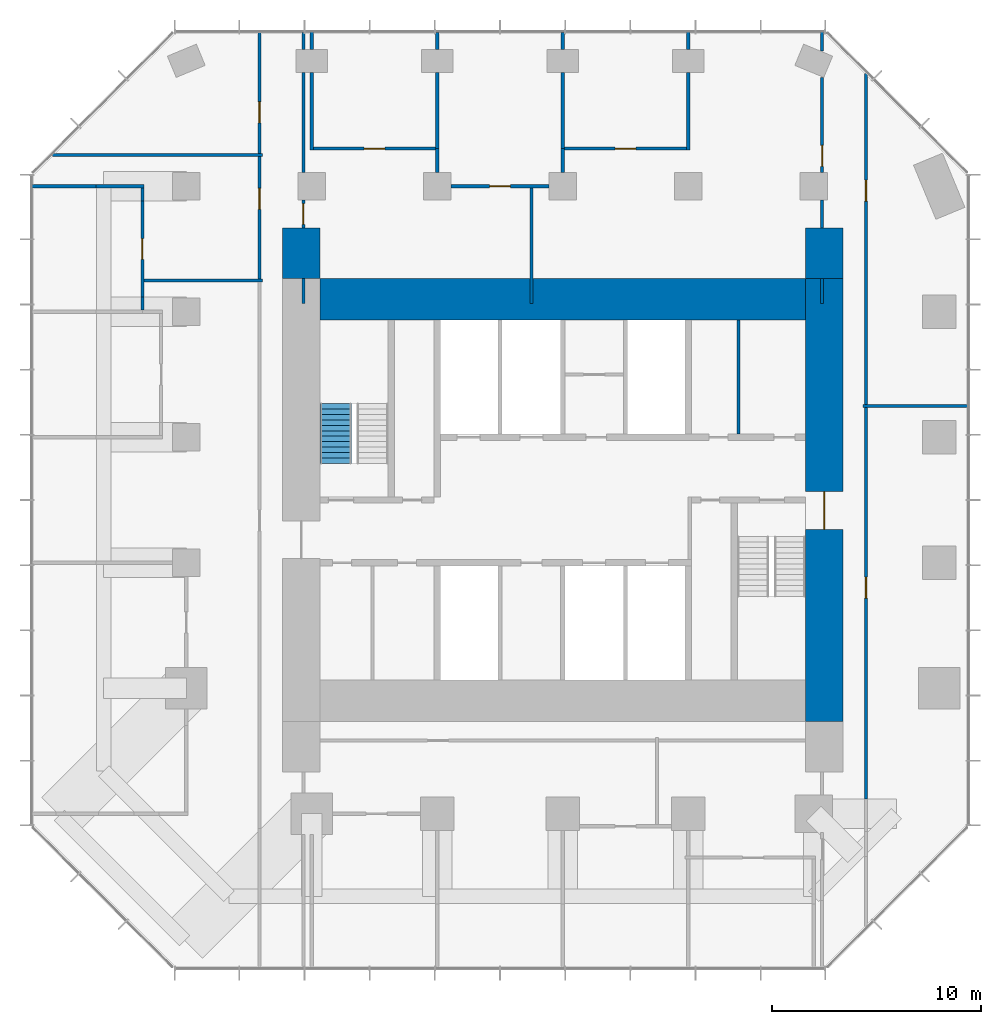
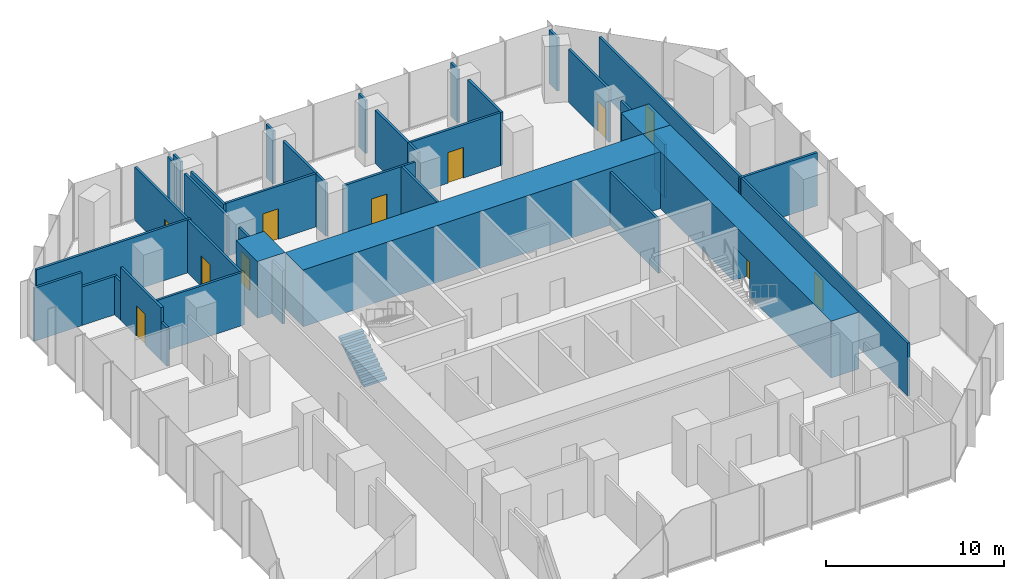
# One storey, part 10 of 12: 39 walls, 11 doors, 1 stair flight, 11 openings, 1 element without a shape of its own.
"""IFC4 building model written with IfcOpenShell, lengths in metres."""

from ifc_helpers import new_model, si_unit, direction, frame, frame_2d, origin, place, context, subcontext, project, spatial, polyline, rectangle, outline, extrude, material, layer, layer_set, type_object, element, fill, aggregate, save


model = new_model("IFC4")

# Units and contexts
model_context = context("Model", 3, precision=1e-05, world=origin(), true_north=direction((0.0, 1.0)))
body_context = subcontext(model_context, "Body", "Model", "MODEL_VIEW")
ifc_project = project(units=[si_unit("LENGTHUNIT", "METRE"), si_unit("AREAUNIT", "SQUARE_METRE"), si_unit("VOLUMEUNIT", "CUBIC_METRE"), si_unit("PLANEANGLEUNIT", "RADIAN"), si_unit("MASSUNIT", "GRAM", prefix="KILO")], contexts=[model_context])

# Site, building, storey
site_placement = place(None, origin())
site = spatial("IfcSite", under=ifc_project, at=site_placement, CompositionType="ELEMENT")
building_placement = place(site_placement, origin())
building = spatial("IfcBuilding", under=site, at=building_placement, Name="Highveld Stack Headquarters", CompositionType="ELEMENT")
storey_placement = place(building_placement, frame((0.0, 0.0, 231.800048828125)))
storey = spatial("IfcBuildingStorey", under=building, at=storey_placement, Name="L57", CompositionType="ELEMENT", Elevation=231.800048828125)

# Wall, opening, door
ifc_material_1 = material(Name="Concrete C60/75", Category="concrete")
ifc_layer_1 = layer(ifc_material_1, 1.800048828125)
ifc_layer_set_1 = layer_set([ifc_layer_1], Name="Concrete C60/75")
wall_type_1 = type_object("IfcWallType", Name="CORE WALL 1800 C60/75", PredefinedType="SHEAR", material=ifc_layer_set_1)
wall_1_placement = place(storey_placement, frame((18.5, -7.60009765625, 0.0), z_axis=(0.0, 0.0, 1.0), x_axis=(0.0, 1.0, 0.0)))
wall_1 = element("IfcWall", 1, at=wall_1_placement, inside=storey, type_object=wall_type_1, Name="Core wall E L57", PredefinedType="SHEAR", context=body_context, shape_type="SweptSolid", body=[
    extrude(rectangle(XDim=21.2001953125, YDim=1.800048828125, at=frame_2d((10.60009765625, 0.0))), origin(), (0.0, 0.0, 1.0), 3.89990234375),
])
opening_1_placement = place(wall_1_placement, frame((9.199951171875, 0.0, 0.0)))
opening_1 = element("IfcOpeningElement", 2, at=opening_1_placement, cuts=wall_1, Name="Opening L57-02", PredefinedType="OPENING", context=body_context, shape_type="SweptSolid", body=[
    extrude(rectangle(XDim=1.800048828125, YDim=2.39990234375, at=frame_2d((0.89990234375, 1.199951171875))), frame((0.0, 0.909912109375, 0.0), z_axis=(0.0, -1.0, 0.0), x_axis=(1.0, 0.0, 0.0)), (0.0, 0.0, 1.0), 1.820068359375),
])
ifc_material_2 = material(Name="Steel fire door", Category="steel")
door_type_1 = type_object("IfcDoorType", Name="LOBBY FIRE DOOR D4 1800x2400", OperationType="DOUBLE_DOOR_SINGLE_SWING", PredefinedType="DOOR", material=ifc_material_2)
door_1_placement = place(opening_1_placement, origin())
door_1 = element("IfcDoor", 3, at=door_1_placement, inside=storey, type_object=door_type_1, Name="Core east door L57", OperationType="DOUBLE_DOOR_SINGLE_SWING", OverallHeight=2.39990234375, OverallWidth=1.800048828125, PredefinedType="DOOR", context=body_context, shape_type="SweptSolid", body=[
    extrude(rectangle(XDim=1.800048828125, YDim=2.39990234375, at=frame_2d((0.89990234375, 1.199951171875))), frame((0.0, 0.02490234375, 0.0), z_axis=(0.0, -1.0, 0.0), x_axis=(1.0, 0.0, 0.0)), (0.0, 0.0, 1.0), 0.050048828125),
])
fill(opening_1, door_1)

# Walls
ifc_material_3 = material(Name="Concrete C60/75", Category="concrete")
ifc_layer_2 = layer(ifc_material_3, 2.0)
ifc_layer_set_2 = layer_set([ifc_layer_2], Name="Concrete C60/75")
wall_type_2 = type_object("IfcWallType", Name="CORE WALL 2000 C60/75", PredefinedType="SHEAR", material=ifc_layer_set_2)
wall_2_placement = place(storey_placement, frame((-5.60009765625, 12.60009765625, 0.0), z_axis=(0.0, 0.0, 1.0), x_axis=(1.0, 0.0, 0.0)))
element("IfcWall", 4, at=wall_2_placement, inside=storey, type_object=wall_type_2, Name="Core wall N L57", PredefinedType="SHEAR", context=body_context, shape_type="SweptSolid", body=[
    extrude(rectangle(XDim=23.2001953125, YDim=2.0, at=frame_2d((11.60009765625, 0.0))), origin(), (0.0, 0.0, 1.0), 3.89990234375),
])
ifc_material_4 = material(Name="Concrete C60/75", Category="concrete")
ifc_layer_3 = layer(ifc_material_4, 1.800048828125)
ifc_layer_set_3 = layer_set([ifc_layer_3], Name="Concrete C60/75")
wall_type_3 = type_object("IfcWallType", Name="CORE WING WALL 1800 C60/75", PredefinedType="SHEAR", material=ifc_layer_set_3)
for number, where, z_axis, x_axis, name in (
    (5, (-6.5, 13.60009765625, 0.0), (0.0, 0.0, 1.0), (0.0, 1.0, 0.0), "Core wing wall WN L57"),
    (6, (18.5, 13.60009765625, 0.0), (0.0, 0.0, 1.0), (0.0, 1.0, 0.0), "Core wing wall EN L57"),
):
    element("IfcWall", number, at=place(storey_placement, frame(where, z_axis=z_axis, x_axis=x_axis)), inside=storey, type_object=wall_type_3, Name=name, PredefinedType="SHEAR", context=body_context, shape_type="SweptSolid", body=[
        extrude(rectangle(XDim=2.39990234375, YDim=1.800048828125, at=frame_2d((1.199951171875, 0.0))), origin(), (0.0, 0.0, 1.0), 3.89990234375),
    ])
ifc_material_5 = material(Name="Gypsum plasterboard on steel studs", Category="steel")
ifc_layer_4 = layer(ifc_material_5, 0.14990234375)
ifc_layer_set_4 = layer_set([ifc_layer_4], Name="Gypsum plasterboard on steel studs")
wall_type_4 = type_object("IfcWallType", Name="PARTITION 150 PLASTERBOARD", PredefinedType="PARTITIONING", material=ifc_layer_set_4)
wall_3_placement = place(storey_placement, frame((-19.39990234375, 18.0, 0.0), z_axis=(0.0, 0.0, 1.0), x_axis=(1.0, 0.0, 0.0)))
element("IfcWall", 7, at=wall_3_placement, inside=storey, type_object=wall_type_4, Name="Partition Focus room L57", PredefinedType="PARTITIONING", context=body_context, shape_type="SweptSolid", body=[
    extrude(rectangle(XDim=3.08984375, YDim=0.14990234375, at=frame_2d((1.544921875, 0.0))), origin(), (0.0, 0.0, 1.0), 3.64990234375),
])
wall_4_placement = place(storey_placement, frame((-16.31005859375, 18.0, 0.0), z_axis=(0.0, 0.0, 1.0), x_axis=(1.0, 0.0, 0.0)))
element("IfcWall", 8, at=wall_4_placement, inside=storey, type_object=wall_type_4, Name="Partition Focus room L57", PredefinedType="PARTITIONING", context=body_context, shape_type="SweptSolid", body=[
    extrude(rectangle(XDim=2.28515625, YDim=0.14990234375, at=frame_2d((1.142578125, 0.0))), origin(), (0.0, 0.0, 1.0), 2.64990234375),
])

# Wall, opening, door
wall_5_placement = place(storey_placement, frame((0.64990234375, 18.0, 0.0), z_axis=(0.0, 0.0, 1.0), x_axis=(1.0, 0.0, 0.0)))
wall_5 = element("IfcWall", 9, at=wall_5_placement, inside=storey, type_object=wall_type_4, Name="Partition Office L57", PredefinedType="PARTITIONING", context=body_context, shape_type="SweptSolid", body=[
    extrude(rectangle(XDim=4.7001953125, YDim=0.14990234375, at=frame_2d((2.35009765625, 0.0))), origin(), (0.0, 0.0, 1.0), 3.64990234375),
])
opening_2_placement = place(wall_5_placement, frame((1.85009765625, 0.0, 0.0)))
opening_2 = element("IfcOpeningElement", 10, at=opening_2_placement, cuts=wall_5, Name="Opening L57-21", PredefinedType="OPENING", context=body_context, shape_type="SweptSolid", body=[
    extrude(rectangle(XDim=1.0, YDim=2.10009765625, at=frame_2d((0.5, 1.050048828125))), frame((0.0, 0.0849609375, 0.0), z_axis=(0.0, -1.0, 0.0), x_axis=(1.0, 0.0, 0.0)), (0.0, 0.0, 1.0), 0.169921875),
])
ifc_material_6 = material(Name="Timber door, oiled ash", Category="wood")
door_type_2 = type_object("IfcDoorType", Name="ROOM DOOR D6 1000x2100", OperationType="SINGLE_SWING_LEFT", PredefinedType="DOOR", material=ifc_material_6)
door_2_placement = place(opening_2_placement, origin())
door_2 = element("IfcDoor", 11, at=door_2_placement, inside=storey, type_object=door_type_2, Name="Office door 1 L57", OperationType="SINGLE_SWING_RIGHT", OverallHeight=2.10009765625, OverallWidth=1.0, PredefinedType="DOOR", context=body_context, shape_type="SweptSolid", body=[
    extrude(rectangle(XDim=1.0, YDim=2.10009765625, at=frame_2d((0.5, 1.050048828125))), frame((0.0, 0.02490234375, 0.0), z_axis=(0.0, -1.0, 0.0), x_axis=(1.0, 0.0, 0.0)), (0.0, 0.0, 1.0), 0.050048828125),
])
fill(opening_2, door_2)

wall_6_placement = place(storey_placement, frame((-5.925048828125, 19.800048828125, 0.0), z_axis=(0.0, 0.0, 1.0), x_axis=(1.0, 0.0, 0.0)))
wall_6 = element("IfcWall", 12, at=wall_6_placement, inside=storey, type_object=wall_type_4, Name="Partition Print room L57", PredefinedType="PARTITIONING", context=body_context, shape_type="SweptSolid", body=[
    extrude(rectangle(XDim=5.85009765625, YDim=0.14990234375, at=frame_2d((2.925048828125, 0.0))), origin(), (0.0, 0.0, 1.0), 3.64990234375),
])
opening_3_placement = place(wall_6_placement, frame((2.425048828125, 0.0, 0.0)))
opening_3 = element("IfcOpeningElement", 13, at=opening_3_placement, cuts=wall_6, Name="Opening L57-20", PredefinedType="OPENING", context=body_context, shape_type="SweptSolid", body=[
    extrude(rectangle(XDim=1.0, YDim=2.10009765625, at=frame_2d((0.5, 1.050048828125))), frame((0.0, 0.0849609375, 0.0), z_axis=(0.0, -1.0, 0.0), x_axis=(1.0, 0.0, 0.0)), (0.0, 0.0, 1.0), 0.169921875),
])
door_3_placement = place(opening_3_placement, origin())
door_3 = element("IfcDoor", 14, at=door_3_placement, inside=storey, type_object=door_type_2, Name="Print room door 1 L57", OperationType="SINGLE_SWING_RIGHT", OverallHeight=2.10009765625, OverallWidth=1.0, PredefinedType="DOOR", context=body_context, shape_type="SweptSolid", body=[
    extrude(rectangle(XDim=1.0, YDim=2.10009765625, at=frame_2d((0.5, 1.050048828125))), frame((0.0, 0.02490234375, 0.0), z_axis=(0.0, -1.0, 0.0), x_axis=(1.0, 0.0, 0.0)), (0.0, 0.0, 1.0), 0.050048828125),
])
fill(opening_3, door_3)

wall_7_placement = place(storey_placement, frame((6.074951171875, 19.800048828125, 0.0), z_axis=(0.0, 0.0, 1.0), x_axis=(1.0, 0.0, 0.0)))
wall_7 = element("IfcWall", 15, at=wall_7_placement, inside=storey, type_object=wall_type_4, Name="Partition Print room L57", PredefinedType="PARTITIONING", context=body_context, shape_type="SweptSolid", body=[
    extrude(rectangle(XDim=5.85009765625, YDim=0.14990234375, at=frame_2d((2.925048828125, 0.0))), origin(), (0.0, 0.0, 1.0), 3.64990234375),
])
opening_4_placement = place(wall_7_placement, frame((2.425048828125, 0.0, 0.0)))
opening_4 = element("IfcOpeningElement", 16, at=opening_4_placement, cuts=wall_7, Name="Opening L57-22", PredefinedType="OPENING", context=body_context, shape_type="SweptSolid", body=[
    extrude(rectangle(XDim=1.0, YDim=2.10009765625, at=frame_2d((0.5, 1.050048828125))), frame((0.0, 0.0849609375, 0.0), z_axis=(0.0, -1.0, 0.0), x_axis=(1.0, 0.0, 0.0)), (0.0, 0.0, 1.0), 0.169921875),
])
door_4_placement = place(opening_4_placement, origin())
door_4 = element("IfcDoor", 17, at=door_4_placement, inside=storey, type_object=door_type_2, Name="Print room door 1 L57", OperationType="SINGLE_SWING_LEFT", OverallHeight=2.10009765625, OverallWidth=1.0, PredefinedType="DOOR", context=body_context, shape_type="SweptSolid", body=[
    extrude(rectangle(XDim=1.0, YDim=2.10009765625, at=frame_2d((0.5, 1.050048828125))), frame((0.0, 0.02490234375, 0.0), z_axis=(0.0, -1.0, 0.0), x_axis=(1.0, 0.0, 0.0)), (0.0, 0.0, 1.0), 0.050048828125),
])
fill(opening_4, door_4)

# Wall
wall_8_placement = place(storey_placement, frame((-14.10009765625, 12.074951171875, 0.0), z_axis=(0.0, 0.0, 1.0), x_axis=(0.0, 1.0, 0.0)))
element("IfcWall", 18, at=wall_8_placement, inside=storey, type_object=wall_type_4, Name="Partition Focus room L57", PredefinedType="PARTITIONING", context=body_context, shape_type="SweptSolid", body=[
    extrude(rectangle(XDim=0.635009765625, YDim=0.14990234375, at=frame_2d((0.3173828125, 0.0))), origin(), (0.0, 0.0, 1.0), 2.64990234375),
])

# Wall, opening, door
wall_9_placement = place(storey_placement, frame((-14.10009765625, 12.7099609375, 0.0), z_axis=(0.0, 0.0, 1.0), x_axis=(0.0, 1.0, 0.0)))
wall_9 = element("IfcWall", 19, at=wall_9_placement, inside=storey, type_object=wall_type_4, Name="Partition Focus room L57", PredefinedType="PARTITIONING", context=body_context, shape_type="SweptSolid", body=[
    extrude(rectangle(XDim=4.580078125, YDim=0.14990234375, at=frame_2d((2.2900390625, 0.0))), origin(), (0.0, 0.0, 1.0), 3.64990234375),
])
opening_5_placement = place(wall_9_placement, frame((1.7900390625, 0.0, 0.0)))
opening_5 = element("IfcOpeningElement", 20, at=opening_5_placement, cuts=wall_9, Name="Opening L57-19", PredefinedType="OPENING", context=body_context, shape_type="SweptSolid", body=[
    extrude(rectangle(XDim=1.0, YDim=2.10009765625, at=frame_2d((0.5, 1.050048828125))), frame((0.0, 0.0849609375, 0.0), z_axis=(0.0, -1.0, 0.0), x_axis=(1.0, 0.0, 0.0)), (0.0, 0.0, 1.0), 0.169921875),
])
door_5_placement = place(opening_5_placement, origin())
door_5 = element("IfcDoor", 21, at=door_5_placement, inside=storey, type_object=door_type_2, Name="Focus room door 1 L57", OperationType="SINGLE_SWING_LEFT", OverallHeight=2.10009765625, OverallWidth=1.0, PredefinedType="DOOR", context=body_context, shape_type="SweptSolid", body=[
    extrude(rectangle(XDim=1.0, YDim=2.10009765625, at=frame_2d((0.5, 1.050048828125))), frame((0.0, 0.02490234375, 0.0), z_axis=(0.0, -1.0, 0.0), x_axis=(1.0, 0.0, 0.0)), (0.0, 0.0, 1.0), 0.050048828125),
])
fill(opening_5, door_5)

# Walls
wall_10_placement = place(storey_placement, frame((-14.10009765625, 17.2900390625, 0.0), z_axis=(0.0, 0.0, 1.0), x_axis=(0.0, 1.0, 0.0)))
element("IfcWall", 22, at=wall_10_placement, inside=storey, type_object=wall_type_4, Name="Partition Focus room L57", PredefinedType="PARTITIONING", context=body_context, shape_type="SweptSolid", body=[
    extrude(rectangle(XDim=0.635009765625, YDim=0.14990234375, at=frame_2d((0.3173828125, 0.0))), origin(), (0.0, 0.0, 1.0), 2.64990234375),
])
wall_11_placement = place(storey_placement, frame((-6.0, 19.72509765625, 0.0), z_axis=(0.0, 0.0, 1.0), x_axis=(0.0, 1.0, 0.0)))
element("IfcWall", 23, at=wall_11_placement, inside=storey, type_object=wall_type_4, Name="Partition Print room L57", PredefinedType="PARTITIONING", context=body_context, shape_type="SweptSolid", body=[
    extrude(rectangle(XDim=3.724853515625, YDim=0.14990234375, at=frame_2d((1.8623046875, 0.0))), origin(), (0.0, 0.0, 1.0), 3.64990234375),
])
wall_12_placement = place(storey_placement, frame((-6.0, 24.550048828125, 0.0), z_axis=(0.0, 0.0, 1.0), x_axis=(0.0, 1.0, 0.0)))
element("IfcWall", 24, at=wall_12_placement, inside=storey, type_object=wall_type_4, Name="Partition Print room L57", PredefinedType="PARTITIONING", context=body_context, shape_type="SweptSolid", body=[
    extrude(rectangle(XDim=0.849853515625, YDim=0.14990234375, at=frame_2d((0.4248046875, 0.0))), origin(), (0.0, 0.0, 1.0), 3.64990234375),
])
wall_13_placement = place(storey_placement, frame((0.0, 18.64990234375, 0.0), z_axis=(0.0, 0.0, 1.0), x_axis=(0.0, 1.0, 0.0)))
element("IfcWall", 25, at=wall_13_placement, inside=storey, type_object=wall_type_4, Name="Partition Office L57", PredefinedType="PARTITIONING", context=body_context, shape_type="SweptSolid", body=[
    extrude(rectangle(XDim=1.150146484375, YDim=0.14990234375, at=frame_2d((0.5751953125, 0.0))), origin(), (0.0, 0.0, 1.0), 3.64990234375),
])
wall_14_placement = place(storey_placement, frame((0.0, 19.800048828125, 0.0), z_axis=(0.0, 0.0, 1.0), x_axis=(0.0, 1.0, 0.0)))
element("IfcWall", 26, at=wall_14_placement, inside=storey, type_object=wall_type_4, Name="Partition Office / Print room L57", PredefinedType="PARTITIONING", context=body_context, shape_type="SweptSolid", body=[
    extrude(rectangle(XDim=3.64990234375, YDim=0.14990234375, at=frame_2d((1.824951171875, 0.0))), origin(), (0.0, 0.0, 1.0), 3.64990234375),
])
wall_15_placement = place(storey_placement, frame((0.0, 24.550048828125, 0.0), z_axis=(0.0, 0.0, 1.0), x_axis=(0.0, 1.0, 0.0)))
element("IfcWall", 27, at=wall_15_placement, inside=storey, type_object=wall_type_4, Name="Partition Office / Print room L57", PredefinedType="PARTITIONING", context=body_context, shape_type="SweptSolid", body=[
    extrude(rectangle(XDim=0.800048828125, YDim=0.14990234375, at=frame_2d((0.39990234375, 0.0))), origin(), (0.0, 0.0, 1.0), 3.64990234375),
])
wall_16_placement = place(storey_placement, frame((6.0, 18.64990234375, 0.0), z_axis=(0.0, 0.0, 1.0), x_axis=(0.0, 1.0, 0.0)))
element("IfcWall", 28, at=wall_16_placement, inside=storey, type_object=wall_type_4, Name="Partition Office L57", PredefinedType="PARTITIONING", context=body_context, shape_type="SweptSolid", body=[
    extrude(rectangle(XDim=1.150146484375, YDim=0.14990234375, at=frame_2d((0.5751953125, 0.0))), origin(), (0.0, 0.0, 1.0), 3.64990234375),
])
wall_17_placement = place(storey_placement, frame((6.0, 19.800048828125, 0.0), z_axis=(0.0, 0.0, 1.0), x_axis=(0.0, 1.0, 0.0)))
element("IfcWall", 29, at=wall_17_placement, inside=storey, type_object=wall_type_4, Name="Partition Office / Print room L57", PredefinedType="PARTITIONING", context=body_context, shape_type="SweptSolid", body=[
    extrude(rectangle(XDim=3.64990234375, YDim=0.14990234375, at=frame_2d((1.824951171875, 0.0))), origin(), (0.0, 0.0, 1.0), 3.64990234375),
])
wall_18_placement = place(storey_placement, frame((6.0, 24.550048828125, 0.0), z_axis=(0.0, 0.0, 1.0), x_axis=(0.0, 1.0, 0.0)))
element("IfcWall", 30, at=wall_18_placement, inside=storey, type_object=wall_type_4, Name="Partition Office / Print room L57", PredefinedType="PARTITIONING", context=body_context, shape_type="SweptSolid", body=[
    extrude(rectangle(XDim=0.800048828125, YDim=0.14990234375, at=frame_2d((0.39990234375, 0.0))), origin(), (0.0, 0.0, 1.0), 3.64990234375),
])
wall_19_placement = place(storey_placement, frame((12.0, 19.72509765625, 0.0), z_axis=(0.0, 0.0, 1.0), x_axis=(0.0, 1.0, 0.0)))
element("IfcWall", 31, at=wall_19_placement, inside=storey, type_object=wall_type_4, Name="Partition Print room L57", PredefinedType="PARTITIONING", context=body_context, shape_type="SweptSolid", body=[
    extrude(rectangle(XDim=3.724853515625, YDim=0.14990234375, at=frame_2d((1.8623046875, 0.0))), origin(), (0.0, 0.0, 1.0), 3.64990234375),
])
wall_20_placement = place(storey_placement, frame((12.0, 24.550048828125, 0.0), z_axis=(0.0, 0.0, 1.0), x_axis=(0.0, 1.0, 0.0)))
element("IfcWall", 32, at=wall_20_placement, inside=storey, type_object=wall_type_4, Name="Partition Print room L57", PredefinedType="PARTITIONING", context=body_context, shape_type="SweptSolid", body=[
    extrude(rectangle(XDim=0.849853515625, YDim=0.14990234375, at=frame_2d((0.4248046875, 0.0))), origin(), (0.0, 0.0, 1.0), 3.64990234375),
])
wall_21_placement = place(storey_placement, frame((-18.387939453125, 19.5, 0.0), z_axis=(0.0, 0.0, 1.0), x_axis=(1.0, 0.0, 0.0)))
element("IfcWall", 33, at=wall_21_placement, inside=storey, type_object=wall_type_4, Name="Partition office neighbourhood L57", PredefinedType="PARTITIONING", context=body_context, shape_type="SweptSolid", body=[
    extrude(rectangle(XDim=10.037841796875, YDim=0.14990234375, at=frame_2d((5.01904296875, 0.0))), origin(), (0.0, 0.0, 1.0), 3.64990234375),
])
wall_22_placement = place(storey_placement, frame((-14.02490234375, 13.5, 0.0), z_axis=(0.0, 0.0, 1.0), x_axis=(1.0, 0.0, 0.0)))
element("IfcWall", 34, at=wall_22_placement, inside=storey, type_object=wall_type_4, Name="Partition office neighbourhood L57", PredefinedType="PARTITIONING", context=body_context, shape_type="SweptSolid", body=[
    extrude(rectangle(XDim=5.6748046875, YDim=0.14990234375, at=frame_2d((2.83740234375, 0.0))), origin(), (0.0, 0.0, 1.0), 3.64990234375),
])

# Wall, opening, door
wall_23_placement = place(storey_placement, frame((-8.5, 13.574951171875, 0.0), z_axis=(0.0, 0.0, 1.0), x_axis=(0.0, 1.0, 0.0)))
wall_23 = element("IfcWall", 35, at=wall_23_placement, inside=storey, type_object=wall_type_4, Name="Partition office neighbourhood L57", PredefinedType="PARTITIONING", context=body_context, shape_type="SweptSolid", body=[
    extrude(rectangle(XDim=5.85009765625, YDim=0.14990234375, at=frame_2d((2.925048828125, 0.0))), origin(), (0.0, 0.0, 1.0), 3.64990234375),
])
opening_6_placement = place(wall_23_placement, frame((3.324951171875, 0.0, 0.0)))
opening_6 = element("IfcOpeningElement", 36, at=opening_6_placement, cuts=wall_23, Name="Opening L57-26", PredefinedType="OPENING", context=body_context, shape_type="SweptSolid", body=[
    extrude(rectangle(XDim=1.0, YDim=2.10009765625, at=frame_2d((0.5, 1.050048828125))), frame((0.0, 0.0849609375, 0.0), z_axis=(0.0, -1.0, 0.0), x_axis=(1.0, 0.0, 0.0)), (0.0, 0.0, 1.0), 0.169921875),
])
door_6_placement = place(opening_6_placement, origin())
door_6 = element("IfcDoor", 37, at=door_6_placement, inside=storey, type_object=door_type_2, Name="Office neighbourhood door L57", OperationType="SINGLE_SWING_RIGHT", OverallHeight=2.10009765625, OverallWidth=1.0, PredefinedType="DOOR", context=body_context, shape_type="SweptSolid", body=[
    extrude(rectangle(XDim=1.0, YDim=2.10009765625, at=frame_2d((0.5, 1.050048828125))), frame((0.0, 0.02490234375, 0.0), z_axis=(0.0, -1.0, 0.0), x_axis=(1.0, 0.0, 0.0)), (0.0, 0.0, 1.0), 0.050048828125),
])
fill(opening_6, door_6)

wall_24_placement = place(storey_placement, frame((-8.5, 19.574951171875, 0.0), z_axis=(0.0, 0.0, 1.0), x_axis=(0.0, 1.0, 0.0)))
wall_24 = element("IfcWall", 38, at=wall_24_placement, inside=storey, type_object=wall_type_4, Name="Partition office neighbourhood L57", PredefinedType="PARTITIONING", context=body_context, shape_type="SweptSolid", body=[
    extrude(rectangle(XDim=5.824951171875, YDim=0.14990234375, at=frame_2d((2.91259765625, 0.0))), origin(), (0.0, 0.0, 1.0), 3.64990234375),
])
opening_7_placement = place(wall_24_placement, frame((1.455078125, 0.0, 0.0)))
opening_7 = element("IfcOpeningElement", 39, at=opening_7_placement, cuts=wall_24, Name="Opening L57-28", PredefinedType="OPENING", context=body_context, shape_type="SweptSolid", body=[
    extrude(rectangle(XDim=1.0, YDim=2.10009765625, at=frame_2d((0.5, 1.050048828125))), frame((0.0, 0.0849609375, 0.0), z_axis=(0.0, -1.0, 0.0), x_axis=(1.0, 0.0, 0.0)), (0.0, 0.0, 1.0), 0.169921875),
])
door_7_placement = place(opening_7_placement, origin())
door_7 = element("IfcDoor", 40, at=door_7_placement, inside=storey, type_object=door_type_2, Name="Office neighbourhood door L57", OperationType="SINGLE_SWING_LEFT", OverallHeight=2.10009765625, OverallWidth=1.0, PredefinedType="DOOR", context=body_context, shape_type="SweptSolid", body=[
    extrude(rectangle(XDim=1.0, YDim=2.10009765625, at=frame_2d((0.5, 1.050048828125))), frame((0.0, 0.02490234375, 0.0), z_axis=(0.0, -1.0, 0.0), x_axis=(1.0, 0.0, 0.0)), (0.0, 0.0, 1.0), 0.050048828125),
])
fill(opening_7, door_7)

# Wall
wall_25_placement = place(storey_placement, frame((-6.39990234375, 12.39990234375, 0.0), z_axis=(0.0, 0.0, 1.0), x_axis=(0.0, 1.0, 0.0)))
element("IfcWall", 41, at=wall_25_placement, inside=storey, type_object=wall_type_4, Name="Partition office neighbourhood L57", PredefinedType="PARTITIONING", context=body_context, shape_type="SweptSolid", body=[
    extrude(rectangle(XDim=1.2001953125, YDim=0.14990234375, at=frame_2d((0.60009765625, 0.0))), origin(), (0.0, 0.0, 1.0), 3.64990234375),
])

# Wall, opening, door
wall_26_placement = place(storey_placement, frame((-6.39990234375, 16.0, 0.0), z_axis=(0.0, 0.0, 1.0), x_axis=(0.0, 1.0, 0.0)))
wall_26 = element("IfcWall", 42, at=wall_26_placement, inside=storey, type_object=wall_type_4, Name="Partition office neighbourhood L57", PredefinedType="PARTITIONING", context=body_context, shape_type="SweptSolid", body=[
    extrude(rectangle(XDim=1.35009765625, YDim=0.14990234375, at=frame_2d((0.675048828125, 0.0))), origin(), (0.0, 0.0, 1.0), 3.64990234375),
])
opening_8_placement = place(wall_26_placement, frame((0.175048828125, 0.0, 0.0)))
opening_8 = element("IfcOpeningElement", 43, at=opening_8_placement, cuts=wall_26, Name="Opening L57-29", PredefinedType="OPENING", context=body_context, shape_type="SweptSolid", body=[
    extrude(rectangle(XDim=1.0, YDim=2.10009765625, at=frame_2d((0.5, 1.050048828125))), frame((0.0, 0.0849609375, 0.0), z_axis=(0.0, -1.0, 0.0), x_axis=(1.0, 0.0, 0.0)), (0.0, 0.0, 1.0), 0.169921875),
])
door_8_placement = place(opening_8_placement, origin())
door_8 = element("IfcDoor", 44, at=door_8_placement, inside=storey, type_object=door_type_2, Name="Office neighbourhood door L57", OperationType="SINGLE_SWING_RIGHT", OverallHeight=2.10009765625, OverallWidth=1.0, PredefinedType="DOOR", context=body_context, shape_type="SweptSolid", body=[
    extrude(rectangle(XDim=1.0, YDim=2.10009765625, at=frame_2d((0.5, 1.050048828125))), frame((0.0, 0.02490234375, 0.0), z_axis=(0.0, -1.0, 0.0), x_axis=(1.0, 0.0, 0.0)), (0.0, 0.0, 1.0), 0.050048828125),
])
fill(opening_8, door_8)

# Walls
wall_27_placement = place(storey_placement, frame((-6.39990234375, 18.64990234375, 0.0), z_axis=(0.0, 0.0, 1.0), x_axis=(0.0, 1.0, 0.0)))
element("IfcWall", 45, at=wall_27_placement, inside=storey, type_object=wall_type_4, Name="Partition office neighbourhood L57", PredefinedType="PARTITIONING", context=body_context, shape_type="SweptSolid", body=[
    extrude(rectangle(XDim=4.800048828125, YDim=0.14990234375, at=frame_2d((2.39990234375, 0.0))), origin(), (0.0, 0.0, 1.0), 3.64990234375),
])
wall_28_placement = place(storey_placement, frame((-6.39990234375, 24.550048828125, 0.0), z_axis=(0.0, 0.0, 1.0), x_axis=(0.0, 1.0, 0.0)))
element("IfcWall", 46, at=wall_28_placement, inside=storey, type_object=wall_type_4, Name="Partition office neighbourhood L57", PredefinedType="PARTITIONING", context=body_context, shape_type="SweptSolid", body=[
    extrude(rectangle(XDim=0.800048828125, YDim=0.14990234375, at=frame_2d((0.39990234375, 0.0))), origin(), (0.0, 0.0, 1.0), 3.64990234375),
])
wall_29_placement = place(storey_placement, frame((4.5, 12.39990234375, 0.0), z_axis=(0.0, 0.0, 1.0), x_axis=(0.0, 1.0, 0.0)))
element("IfcWall", 47, at=wall_29_placement, inside=storey, type_object=wall_type_4, Name="Partition office neighbourhood L57", PredefinedType="PARTITIONING", context=body_context, shape_type="SweptSolid", body=[
    extrude(rectangle(XDim=5.525146484375, YDim=0.14990234375, at=frame_2d((2.7626953125, 0.0))), origin(), (0.0, 0.0, 1.0), 3.64990234375),
])
wall_30_placement = place(storey_placement, frame((18.39990234375, 12.39990234375, 0.0), z_axis=(0.0, 0.0, 1.0), x_axis=(0.0, 1.0, 0.0)))
element("IfcWall", 48, at=wall_30_placement, inside=storey, type_object=wall_type_4, Name="Partition office neighbourhood L57", PredefinedType="PARTITIONING", context=body_context, shape_type="SweptSolid", body=[
    extrude(rectangle(XDim=1.2001953125, YDim=0.14990234375, at=frame_2d((0.60009765625, 0.0))), origin(), (0.0, 0.0, 1.0), 3.64990234375),
])
wall_31_placement = place(storey_placement, frame((18.39990234375, 16.0, 0.0), z_axis=(0.0, 0.0, 1.0), x_axis=(0.0, 1.0, 0.0)))
element("IfcWall", 49, at=wall_31_placement, inside=storey, type_object=wall_type_4, Name="Partition office neighbourhood L57", PredefinedType="PARTITIONING", context=body_context, shape_type="SweptSolid", body=[
    extrude(rectangle(XDim=1.35009765625, YDim=0.14990234375, at=frame_2d((0.675048828125, 0.0))), origin(), (0.0, 0.0, 1.0), 3.64990234375),
])

# Wall, opening, door
wall_32_placement = place(storey_placement, frame((18.39990234375, 18.64990234375, 0.0), z_axis=(0.0, 0.0, 1.0), x_axis=(0.0, 1.0, 0.0)))
wall_32 = element("IfcWall", 50, at=wall_32_placement, inside=storey, type_object=wall_type_4, Name="Partition office neighbourhood L57", PredefinedType="PARTITIONING", context=body_context, shape_type="SweptSolid", body=[
    extrude(rectangle(XDim=4.55810546875, YDim=0.14990234375, at=frame_2d((2.279052734375, 0.0))), origin(), (0.0, 0.0, 1.0), 3.64990234375),
])
opening_9_placement = place(wall_32_placement, frame((0.300048828125, 0.0, 0.0)))
opening_9 = element("IfcOpeningElement", 51, at=opening_9_placement, cuts=wall_32, Name="Opening L57-27", PredefinedType="OPENING", context=body_context, shape_type="SweptSolid", body=[
    extrude(rectangle(XDim=1.0, YDim=2.10009765625, at=frame_2d((0.5, 1.050048828125))), frame((0.0, 0.0849609375, 0.0), z_axis=(0.0, -1.0, 0.0), x_axis=(1.0, 0.0, 0.0)), (0.0, 0.0, 1.0), 0.169921875),
])
door_9_placement = place(opening_9_placement, origin())
door_9 = element("IfcDoor", 52, at=door_9_placement, inside=storey, type_object=door_type_2, Name="Office neighbourhood door L57", OperationType="SINGLE_SWING_LEFT", OverallHeight=2.10009765625, OverallWidth=1.0, PredefinedType="DOOR", context=body_context, shape_type="SweptSolid", body=[
    extrude(rectangle(XDim=1.0, YDim=2.10009765625, at=frame_2d((0.5, 1.050048828125))), frame((0.0, 0.02490234375, 0.0), z_axis=(0.0, -1.0, 0.0), x_axis=(1.0, 0.0, 0.0)), (0.0, 0.0, 1.0), 0.050048828125),
])
fill(opening_9, door_9)

# Wall
wall_33_placement = place(storey_placement, frame((18.39990234375, 24.460693359375, 0.0), z_axis=(0.0, 0.0, 1.0), x_axis=(0.0, 1.0, 0.0)))
element("IfcWall", 53, at=wall_33_placement, inside=storey, type_object=wall_type_4, Name="Partition office neighbourhood L57", PredefinedType="PARTITIONING", context=body_context, shape_type="SweptSolid", body=[
    extrude(rectangle(XDim=0.939208984375, YDim=0.14990234375, at=frame_2d((0.4697265625, 0.0))), origin(), (0.0, 0.0, 1.0), 3.64990234375),
])

# Wall, opening, door
wall_34_placement = place(storey_placement, frame((20.5, -11.2900390625, 0.0), z_axis=(0.0, 0.0, 1.0), x_axis=(0.0, 1.0, 0.0)))
wall_34 = element("IfcWall", 54, at=wall_34_placement, inside=storey, type_object=wall_type_4, Name="Partition office neighbourhood L57", PredefinedType="PARTITIONING", context=body_context, shape_type="SweptSolid", body=[
    extrude(rectangle(XDim=18.715087890625, YDim=0.14990234375, at=frame_2d((9.357421875, 0.0))), origin(), (0.0, 0.0, 1.0), 3.64990234375),
])
opening_10_placement = place(wall_34_placement, frame((9.596923828125, 0.0, 0.0)))
opening_10 = element("IfcOpeningElement", 55, at=opening_10_placement, cuts=wall_34, Name="Opening L57-23", PredefinedType="OPENING", context=body_context, shape_type="SweptSolid", body=[
    extrude(rectangle(XDim=1.0, YDim=2.10009765625, at=frame_2d((0.5, 1.050048828125))), frame((0.0, 0.0849609375, 0.0), z_axis=(0.0, -1.0, 0.0), x_axis=(1.0, 0.0, 0.0)), (0.0, 0.0, 1.0), 0.169921875),
])
door_10_placement = place(opening_10_placement, origin())
door_10 = element("IfcDoor", 56, at=door_10_placement, inside=storey, type_object=door_type_2, Name="Office neighbourhood door L57", OperationType="SINGLE_SWING_RIGHT", OverallHeight=2.10009765625, OverallWidth=1.0, PredefinedType="DOOR", context=body_context, shape_type="SweptSolid", body=[
    extrude(rectangle(XDim=1.0, YDim=2.10009765625, at=frame_2d((0.5, 1.050048828125))), frame((0.0, 0.02490234375, 0.0), z_axis=(0.0, -1.0, 0.0), x_axis=(1.0, 0.0, 0.0)), (0.0, 0.0, 1.0), 0.050048828125),
])
fill(opening_10, door_10)

wall_35_placement = place(storey_placement, frame((20.5, 7.574951171875, 0.0), z_axis=(0.0, 0.0, 1.0), x_axis=(0.0, 1.0, 0.0)))
wall_35 = element("IfcWall", 57, at=wall_35_placement, inside=storey, type_object=wall_type_4, Name="Partition office neighbourhood L57", PredefinedType="PARTITIONING", context=body_context, shape_type="SweptSolid", body=[
    extrude(rectangle(XDim=15.81298828125, YDim=0.14990234375, at=frame_2d((7.906494140625, 0.0))), origin(), (0.0, 0.0, 1.0), 3.64990234375),
])
opening_11_placement = place(wall_35_placement, frame((9.719970703125, 0.0, 0.0)))
opening_11 = element("IfcOpeningElement", 58, at=opening_11_placement, cuts=wall_35, Name="Opening L57-25", PredefinedType="OPENING", context=body_context, shape_type="SweptSolid", body=[
    extrude(rectangle(XDim=1.0, YDim=2.10009765625, at=frame_2d((0.5, 1.050048828125))), frame((0.0, 0.0849609375, 0.0), z_axis=(0.0, -1.0, 0.0), x_axis=(1.0, 0.0, 0.0)), (0.0, 0.0, 1.0), 0.169921875),
])
door_11_placement = place(opening_11_placement, origin())
door_11 = element("IfcDoor", 59, at=door_11_placement, inside=storey, type_object=door_type_2, Name="Office neighbourhood door L57", OperationType="SINGLE_SWING_RIGHT", OverallHeight=2.10009765625, OverallWidth=1.0, PredefinedType="DOOR", context=body_context, shape_type="SweptSolid", body=[
    extrude(rectangle(XDim=1.0, YDim=2.10009765625, at=frame_2d((0.5, 1.050048828125))), frame((0.0, 0.02490234375, 0.0), z_axis=(0.0, -1.0, 0.0), x_axis=(1.0, 0.0, 0.0)), (0.0, 0.0, 1.0), 0.050048828125),
])
fill(opening_11, door_11)

# Walls
wall_36_placement = place(storey_placement, frame((20.35009765625, 7.5, 0.0), z_axis=(0.0, 0.0, 1.0), x_axis=(1.0, 0.0, 0.0)))
element("IfcWall", 60, at=wall_36_placement, inside=storey, type_object=wall_type_4, Name="Partition office neighbourhood L57", PredefinedType="PARTITIONING", context=body_context, shape_type="SweptSolid", body=[
    extrude(rectangle(XDim=5.0498046875, YDim=0.14990234375, at=frame_2d((2.52490234375, 0.0))), origin(), (0.0, 0.0, 1.0), 3.64990234375),
])
ifc_material_7 = material(Name="Concrete blockwork, tiled", Category="masonry")
ifc_layer_5 = layer(ifc_material_7, 0.14990234375)
ifc_layer_set_5 = layer_set([ifc_layer_5], Name="Concrete blockwork, tiled")
wall_type_5 = type_object("IfcWallType", Name="WC PARTITION 150", PredefinedType="PLUMBINGWALL", material=ifc_layer_set_5)
wall_37_placement = place(storey_placement, frame((14.39990234375, 6.14990234375, 0.0), z_axis=(0.0, 0.0, 1.0), x_axis=(0.0, 1.0, 0.0)))
element("IfcWall", 61, at=wall_37_placement, inside=storey, type_object=wall_type_5, Name="Toilet partition L57", PredefinedType="PLUMBINGWALL", context=body_context, shape_type="SweptSolid", body=[
    extrude(rectangle(XDim=5.4501953125, YDim=0.14990234375, at=frame_2d((2.72509765625, 0.0))), origin(), (0.0, 0.0, 1.0), 3.64990234375),
])

# Stair, stair flight
ifc_material_8 = material(Name="Concrete C40/50, precast", Category="concrete")
stair_type = type_object("IfcStairType", Name="STAIR S1 HALF TURN 1500", PredefinedType="HALF_TURN_STAIR", material=ifc_material_8)
stair_placement = place(storey_placement, origin())
stair = element("IfcStair", 62, at=stair_placement, inside=storey, type_object=stair_type, Name="Stair S1 L57", PredefinedType="HALF_TURN_STAIR")
ifc_material_9 = material(Name="Concrete C40/50, precast", Category="concrete")
stair_flight_type = type_object("IfcStairFlightType", Name="STAIR FLIGHT 1500 PRECAST", PredefinedType="STRAIGHT", material=ifc_material_9)
stair_flight_placement = place(storey_placement, frame((-4.85009765625, 4.75, 0.0), z_axis=(0.0, 0.0, 1.0), x_axis=(0.0, 1.0, 0.0)))
stair_flight = element("IfcStairFlight", 63, at=stair_flight_placement, type_object=stair_flight_type, Name="S1 flight 1", NumberOfRisers=12, NumberOfTreads=11, PredefinedType="STRAIGHT", RiserHeight=0.1625, TreadLength=0.26, context=body_context, shape_type="SweptSolid", body=[
    extrude(outline(polyline([(0.0, 0.0), (0.0, 0.16259765625), (0.260009765625, 0.16259765625), (0.260009765625, 0.324951171875), (0.52001953125, 0.324951171875), (0.52001953125, 0.487548828125), (0.780029296875, 0.487548828125), (0.780029296875, 0.64990234375), (1.0400390625, 0.64990234375), (1.0400390625, 0.8125), (1.300048828125, 0.8125), (1.300048828125, 0.97509765625), (1.56005859375, 0.97509765625), (1.56005859375, 1.137451171875), (1.820068359375, 1.137451171875), (1.820068359375, 1.300048828125), (2.080078125, 1.300048828125), (2.080078125, 1.46240234375), (2.340087890625, 1.46240234375), (2.340087890625, 1.625), (2.60009765625, 1.625), (2.60009765625, 1.78759765625), (2.860107421875, 1.78759765625), (2.860107421875, 1.949951171875), (2.860107421875, 1.61083984375), (0.28271484375, 0.0), (0.0, 0.0)])), frame((0.0, 0.75, 0.0), z_axis=(0.0, -1.0, 0.0), x_axis=(1.0, 0.0, 0.0)), (0.0, 0.0, 1.0), 1.5),
])
aggregate(stair, [stair_flight])

save(model, "model.ifc")
